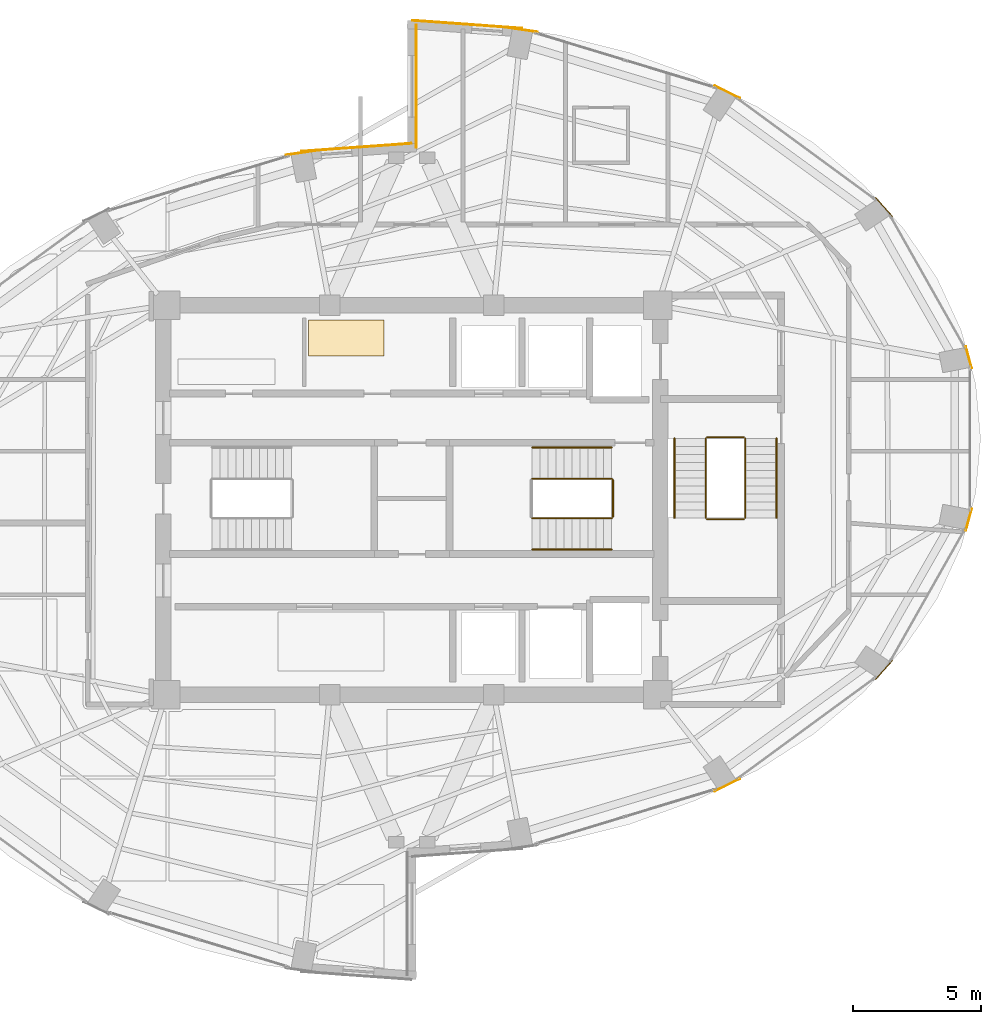
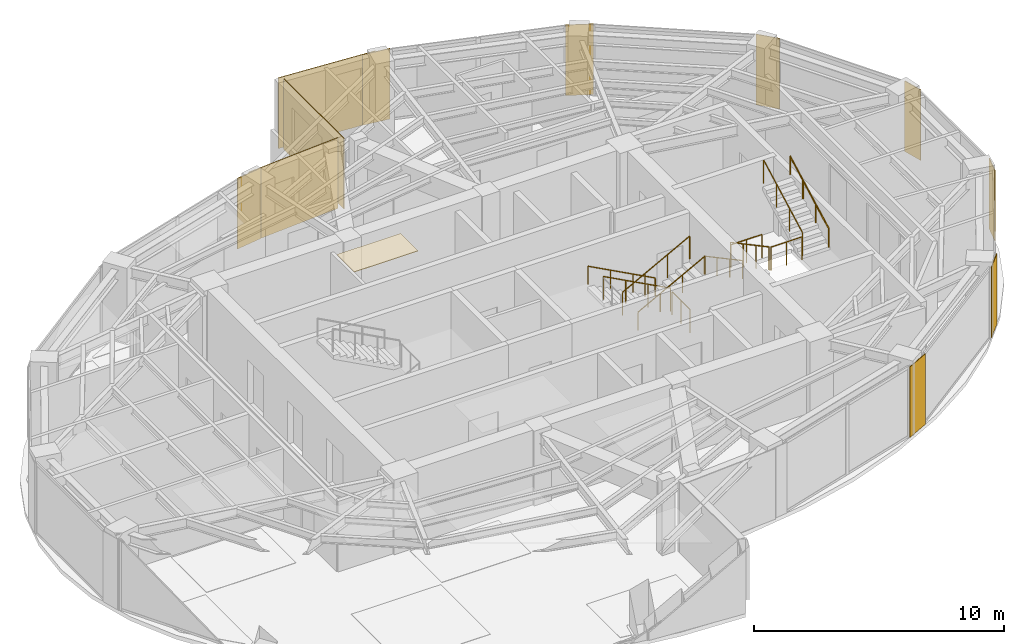
# One storey, part 23 of 23: 12 coverings, 11 railings.
"""IFC4 building model written with IfcOpenShell, lengths in metres."""

from ifc_helpers import new_model, si_unit, direction, frame, origin, origin_2d, place, context, subcontext, project, spatial, polyline, rectangle, circle, outline, extrude, material, layer, layer_set, type_object, element, save


model = new_model("IFC4")

# Units and contexts
model_context = context("Model", 3, precision=1e-05, world=origin(), true_north=direction((0.0, 1.0)))
body_context = subcontext(model_context, "Body", "Model", "MODEL_VIEW")
ifc_project = project(units=[si_unit("LENGTHUNIT", "METRE"), si_unit("AREAUNIT", "SQUARE_METRE"), si_unit("VOLUMEUNIT", "CUBIC_METRE"), si_unit("PLANEANGLEUNIT", "RADIAN"), si_unit("MASSUNIT", "GRAM", prefix="KILO")], contexts=[model_context])

# Site, building, storey
site_placement = place(None, origin())
site = spatial("IfcSite", under=ifc_project, at=site_placement, CompositionType="ELEMENT")
building_placement = place(site_placement, origin())
building = spatial("IfcBuilding", under=site, at=building_placement, Name="Lazwardi Medical Tower", CompositionType="ELEMENT")
storey_placement = place(building_placement, frame((0.0, 0.0, 202.1279296875)))
storey = spatial("IfcBuildingStorey", under=building, at=storey_placement, Name="L52", CompositionType="ELEMENT", Elevation=202.1279296875)

# Coverings
ifc_material_1 = material(Name="Anodised bronze aluminium cassette cladding", Category="aluminium")
ifc_layer_1 = layer(ifc_material_1, 0.030029296875)
ifc_layer_set_1 = layer_set([ifc_layer_1], Name="Anodised bronze aluminium cassette cladding")
covering_type_1 = type_object("IfcCoveringType", Name="COV-CLD-BRZ", PredefinedType="CLADDING", material=ifc_layer_set_1)
covering_1_placement = place(storey_placement, frame((48.311279296875, 16.878662109375, 0.0), z_axis=(0.0, 0.0, 1.0), x_axis=(0.897840141691, 0.440321564278, 0.0)))
element("IfcCovering", 1, at=covering_1_placement, inside=storey, type_object=covering_type_1, Name="L52 Mega-column bronze cassette cover M02", PredefinedType="CLADDING", context=body_context, shape_type="SweptSolid", body=[
    extrude(rectangle(XDim=1.110595703125, YDim=0.030029296875, at=origin_2d()), origin(), (0.0, 0.0, 1.0), 3.447998046875),
])
covering_2_placement = place(storey_placement, frame((54.42529296875, 21.365234375, 0.0), z_axis=(0.0, 0.0, 1.0), x_axis=(0.673240970654, 0.739423150458, 0.0)))
element("IfcCovering", 2, at=covering_2_placement, inside=storey, type_object=covering_type_1, Name="L52 Mega-column bronze cassette cover M03", PredefinedType="CLADDING", context=body_context, shape_type="SweptSolid", body=[
    extrude(rectangle(XDim=0.98974609375, YDim=0.030029296875, at=origin_2d()), origin(), (0.0, 0.0, 1.0), 3.447998046875),
])
for number, where, z_axis, x_axis, name in (
    (3, (57.734130859375, 27.227294921875, 0.0), (0.0, 0.0, 1.0), (0.261641748247, 0.96516506131, 0.0), "L52 Mega-column bronze cassette cover M04"),
    (4, (57.734130859375, 33.572509765625, 0.0), (0.0, 0.0, 1.0), (-0.261641748247, 0.96516506131, 0.0), "L52 Mega-column bronze cassette cover M05"),
):
    element("IfcCovering", number, at=place(storey_placement, frame(where, z_axis=z_axis, x_axis=x_axis)), inside=storey, type_object=covering_type_1, Name=name, PredefinedType="CLADDING", context=body_context, shape_type="SweptSolid", body=[
        extrude(rectangle(XDim=0.894287109375, YDim=0.030029296875, at=origin_2d()), origin(), (0.0, 0.0, 1.0), 3.447998046875),
    ])
covering_3_placement = place(storey_placement, frame((54.42529296875, 39.434814453125, 0.0), z_axis=(0.0, 0.0, 1.0), x_axis=(-0.673240970654, 0.739423150458, 0.0)))
element("IfcCovering", 5, at=covering_3_placement, inside=storey, type_object=covering_type_1, Name="L52 Mega-column bronze cassette cover M06", PredefinedType="CLADDING", context=body_context, shape_type="SweptSolid", body=[
    extrude(rectangle(XDim=0.98974609375, YDim=0.030029296875, at=origin_2d()), origin(), (0.0, 0.0, 1.0), 3.447998046875),
])
covering_4_placement = place(storey_placement, frame((48.311279296875, 43.92138671875, 0.0), z_axis=(0.0, 0.0, 1.0), x_axis=(-0.897840141691, 0.440321564278, 0.0)))
element("IfcCovering", 6, at=covering_4_placement, inside=storey, type_object=covering_type_1, Name="L52 Mega-column bronze cassette cover M07", PredefinedType="CLADDING", context=body_context, shape_type="SweptSolid", body=[
    extrude(rectangle(XDim=1.110595703125, YDim=0.030029296875, at=origin_2d()), origin(), (0.0, 0.0, 1.0), 3.447998046875),
])
for number, where, z_axis, x_axis, name in (
    (7, (40.3232421875, 46.349609375, 0.0), (0.0, 0.0, 1.0), (-0.989512431533, 0.144447733943, 0.0), "L52 Mega-column bronze cassette cover M08"),
    (8, (31.6767578125, 41.549560546875, 0.0), (0.0, 0.0, 1.0), (-0.989512431533, -0.144447733943, 0.0), "L52 Mega-column bronze cassette cover M09"),
):
    element("IfcCovering", number, at=place(storey_placement, frame(where, z_axis=z_axis, x_axis=x_axis)), inside=storey, type_object=covering_type_1, Name=name, PredefinedType="CLADDING", context=body_context, shape_type="SweptSolid", body=[
        extrude(rectangle(XDim=1.188720703125, YDim=0.030029296875, at=origin_2d()), origin(), (0.0, 0.0, 1.0), 3.447998046875),
    ])
ifc_material_2 = material(Name="Turquoise glazed ceramic tilework cladding", Category="masonry")
ifc_layer_2 = layer(ifc_material_2, 0.034912109375)
ifc_layer_set_2 = layer_set([ifc_layer_2], Name="Turquoise glazed ceramic tilework cladding")
covering_type_2 = type_object("IfcCoveringType", Name="COV-CLD-TRQ", PredefinedType="CLADDING", material=ifc_layer_set_2)
covering_5_placement = place(storey_placement, frame((38.16259765625, 46.56005859375, 0.0), z_axis=(0.0, 0.0, 1.0), x_axis=(-0.997409491337, 0.071932653157, 0.0)))
element("IfcCovering", 9, at=covering_5_placement, inside=storey, type_object=covering_type_2, Name="L52 Turquoise glazed ceramic tilework cladding", PredefinedType="CLADDING", context=body_context, shape_type="SweptSolid", body=[
    extrude(rectangle(XDim=4.31103515625, YDim=0.034912109375, at=origin_2d()), origin(), (0.0, 0.0, 1.0), 3.447998046875),
])
covering_6_placement = place(storey_placement, frame((33.83740234375, 41.760009765625, 0.0), z_axis=(0.0, 0.0, 1.0), x_axis=(-0.997408989128, -0.071939616387, 0.0)))
element("IfcCovering", 10, at=covering_6_placement, inside=storey, type_object=covering_type_2, Name="L52 Turquoise glazed ceramic tilework cladding", PredefinedType="CLADDING", context=body_context, shape_type="SweptSolid", body=[
    extrude(rectangle(XDim=4.310546875, YDim=0.034912109375, at=origin_2d()), origin(), (0.0, 0.0, 1.0), 3.447998046875),
])
covering_7_placement = place(storey_placement, frame((36.175537109375, 44.139892578125, 0.0), z_axis=(0.0, 0.0, 1.0), x_axis=(0.0, -1.0, 0.0)))
element("IfcCovering", 11, at=covering_7_placement, inside=storey, type_object=covering_type_2, Name="L52 Turquoise glazed ceramic tilework iwan panel", PredefinedType="CLADDING", context=body_context, shape_type="SweptSolid", body=[
    extrude(rectangle(XDim=4.800048828125, YDim=0.034912109375, at=origin_2d()), origin(), (0.0, 0.0, 1.0), 3.447998046875),
])
ifc_material_3 = material(Name="Acoustic mineral fibre tile")
ifc_layer_3 = layer(ifc_material_3, 0.02490234375)
ifc_layer_set_3 = layer_set([ifc_layer_3], Name="Acoustic mineral fibre tile")
covering_type_3 = type_object("IfcCoveringType", Name="COV-CLG-01", PredefinedType="CEILING", material=ifc_layer_set_3)
covering_8_placement = place(storey_placement, frame((0.0, 0.0, 3.302978515625)))
element("IfcCovering", 12, at=covering_8_placement, inside=storey, type_object=covering_type_3, Name="L52 Clinical Acoustic Ceiling 9", PredefinedType="CEILING", context=body_context, shape_type="SweptSolid", body=[
    extrude(outline(polyline([(34.912841796875, 35.02001953125), (31.9599609375, 35.02001953125), (31.9599609375, 33.62255859375), (34.912841796875, 33.62255859375), (34.912841796875, 35.02001953125)])), origin(), (0.0, 0.0, 1.0), 0.025146484375),
])

# Railings
ifc_material_4 = material(Name="Stainless steel Grade 316", Category="steel")
railing_type_1 = type_object("IfcRailingType", Name="RLG-GRD-1150", PredefinedType="GUARDRAIL", material=ifc_material_4)
railing_1_placement = place(storey_placement, frame((43.800048828125, 28.830078125, 0.165771484375)))
element("IfcRailing", 13, at=railing_1_placement, inside=storey, type_object=railing_type_1, Name="L52 ST2 stair guard 1", PredefinedType="GUARDRAIL", context=body_context, shape_type="SweptSolid", body=[
    extrude(circle(Radius=0.02392578125, at=origin_2d()), frame((0.0, 0.0, 1.1259765625), z_axis=(-0.881783298633, 0.0, 0.471654761719), x_axis=(0.0, -1.0, 0.0)), (0.0, 0.0, 1.0), 3.515625),
    extrude(circle(Radius=0.02099609375, at=origin_2d()), origin(), (0.0, 0.0, 1.0), 1.099853515625),
    extrude(circle(Radius=0.02099609375, at=origin_2d()), frame((-1.033447265625, 0.0, 0.552734375)), (0.0, 0.0, 1.0), 1.099853515625),
    extrude(circle(Radius=0.02099609375, at=origin_2d()), frame((-2.066650390625, 0.0, 1.10546875)), (0.0, 0.0, 1.0), 1.099853515625),
    extrude(circle(Radius=0.02099609375, at=origin_2d()), frame((-3.10009765625, 0.0, 1.658203125)), (0.0, 0.0, 1.0), 1.099853515625),
])
railing_2_placement = place(storey_placement, frame((40.699951171875, 27.2900390625, 1.989990234375)))
element("IfcRailing", 14, at=railing_2_placement, inside=storey, type_object=railing_type_1, Name="L52 ST2 stair guard 3", PredefinedType="GUARDRAIL", context=body_context, shape_type="SweptSolid", body=[
    extrude(circle(Radius=0.02392578125, at=origin_2d()), frame((0.0, 0.0, 1.1259765625), z_axis=(0.881812178953, 0.0, 0.471600764472), x_axis=(0.0, 1.0, 0.0)), (0.0, 0.0, 1.0), 3.515625),
    extrude(circle(Radius=0.02099609375, at=origin_2d()), origin(), (0.0, 0.0, 1.0), 1.099853515625),
    extrude(circle(Radius=0.02099609375, at=origin_2d()), frame((1.033447265625, 0.0, 0.552734375)), (0.0, 0.0, 1.0), 1.099853515625),
    extrude(circle(Radius=0.02099609375, at=origin_2d()), frame((2.066650390625, 0.0, 1.105224609375)), (0.0, 0.0, 1.0), 1.099853515625),
    extrude(circle(Radius=0.02099609375, at=origin_2d()), frame((3.10009765625, 0.0, 1.657958984375)), (0.0, 0.0, 1.0), 1.099853515625),
])
railing_3_placement = place(storey_placement, frame((43.85009765625, 28.780029296875, 0.0)))
element("IfcRailing", 15, at=railing_3_placement, inside=storey, type_object=railing_type_1, Name="L52 ST2 stair guard 4", PredefinedType="GUARDRAIL", context=body_context, shape_type="SweptSolid", body=[
    extrude(circle(Radius=0.02392578125, at=origin_2d()), frame((0.0, 0.0, 1.1259765625), z_axis=(0.0, -1.0, 0.0), x_axis=(1.0, 0.0, 0.0)), (0.0, 0.0, 1.0), 1.43994140625),
    extrude(circle(Radius=0.02099609375, at=origin_2d()), origin(), (0.0, 0.0, 1.0), 1.099853515625),
    extrude(circle(Radius=0.02099609375, at=origin_2d()), frame((0.0, -0.719970703125, 0.0)), (0.0, 0.0, 1.0), 1.099853515625),
    extrude(circle(Radius=0.02099609375, at=origin_2d()), frame((0.0, -1.43994140625, 0.0)), (0.0, 0.0, 1.0), 1.099853515625),
])
railing_4_placement = place(storey_placement, frame((47.469970703125, 30.39990234375, 0.165771484375)))
element("IfcRailing", 16, at=railing_4_placement, inside=storey, type_object=railing_type_1, Name="L52 ST3 stair guard 1", PredefinedType="GUARDRAIL", context=body_context, shape_type="SweptSolid", body=[
    extrude(circle(Radius=0.02392578125, at=origin_2d()), frame((0.0, 0.0, 1.1259765625), z_axis=(0.0, -0.881767849116, 0.471683644262), x_axis=(1.0, 0.0, 0.0)), (0.0, 0.0, 1.0), 3.515380859375),
    extrude(circle(Radius=0.02099609375, at=origin_2d()), origin(), (0.0, 0.0, 1.0), 1.099853515625),
    extrude(circle(Radius=0.02099609375, at=origin_2d()), frame((0.0, -1.033203125, 0.552734375)), (0.0, 0.0, 1.0), 1.099853515625),
    extrude(circle(Radius=0.02099609375, at=origin_2d()), frame((0.0, -2.066650390625, 1.10546875)), (0.0, 0.0, 1.0), 1.099853515625),
    extrude(circle(Radius=0.02099609375, at=origin_2d()), frame((0.0, -3.099853515625, 1.658203125)), (0.0, 0.0, 1.0), 1.099853515625),
])
railing_5_placement = place(storey_placement, frame((47.52001953125, 27.25, 1.823974609375)))
element("IfcRailing", 17, at=railing_5_placement, inside=storey, type_object=railing_type_1, Name="L52 ST3 stair guard 2", PredefinedType="GUARDRAIL", context=body_context, shape_type="SweptSolid", body=[
    extrude(circle(Radius=0.02392578125, at=origin_2d()), frame((0.0, 0.0, 1.1259765625), z_axis=(1.0, 0.0, 0.0), x_axis=(0.0, 1.0, 0.0)), (0.0, 0.0, 1.0), 1.43994140625),
    extrude(circle(Radius=0.02099609375, at=origin_2d()), origin(), (0.0, 0.0, 1.0), 1.099853515625),
    extrude(circle(Radius=0.02099609375, at=origin_2d()), frame((0.719970703125, 0.0, 0.0)), (0.0, 0.0, 1.0), 1.099853515625),
    extrude(circle(Radius=0.02099609375, at=origin_2d()), frame((1.43994140625, 0.0, 0.0)), (0.0, 0.0, 1.0), 1.099853515625),
])
railing_6_placement = place(storey_placement, frame((49.010009765625, 27.300048828125, 1.989990234375)))
element("IfcRailing", 18, at=railing_6_placement, inside=storey, type_object=railing_type_1, Name="L52 ST3 stair guard 3", PredefinedType="GUARDRAIL", context=body_context, shape_type="SweptSolid", body=[
    extrude(circle(Radius=0.02392578125, at=origin_2d()), frame((0.0, 0.0, 1.1259765625), z_axis=(0.0, 0.881796732468, 0.4716296456), x_axis=(-1.0, 0.0, 0.0)), (0.0, 0.0, 1.0), 3.515380859375),
    extrude(circle(Radius=0.02099609375, at=origin_2d()), origin(), (0.0, 0.0, 1.0), 1.099853515625),
    extrude(circle(Radius=0.02099609375, at=origin_2d()), frame((0.0, 1.033203125, 0.552734375)), (0.0, 0.0, 1.0), 1.099853515625),
    extrude(circle(Radius=0.02099609375, at=origin_2d()), frame((0.0, 2.066650390625, 1.105224609375)), (0.0, 0.0, 1.0), 1.099853515625),
    extrude(circle(Radius=0.02099609375, at=origin_2d()), frame((0.0, 3.099853515625, 1.657958984375)), (0.0, 0.0, 1.0), 1.099853515625),
])
railing_7_placement = place(storey_placement, frame((47.52001953125, 30.449951171875, 0.0)))
element("IfcRailing", 19, at=railing_7_placement, inside=storey, type_object=railing_type_1, Name="L52 ST3 stair guard 4", PredefinedType="GUARDRAIL", context=body_context, shape_type="SweptSolid", body=[
    extrude(circle(Radius=0.02392578125, at=origin_2d()), frame((0.0, 0.0, 1.1259765625), z_axis=(1.0, 0.0, 0.0), x_axis=(0.0, 1.0, 0.0)), (0.0, 0.0, 1.0), 1.43994140625),
    extrude(circle(Radius=0.02099609375, at=origin_2d()), origin(), (0.0, 0.0, 1.0), 1.099853515625),
    extrude(circle(Radius=0.02099609375, at=origin_2d()), frame((0.719970703125, 0.0, 0.0)), (0.0, 0.0, 1.0), 1.099853515625),
    extrude(circle(Radius=0.02099609375, at=origin_2d()), frame((1.43994140625, 0.0, 0.0)), (0.0, 0.0, 1.0), 1.099853515625),
])
railing_type_2 = type_object("IfcRailingType", Name="RLG-HND-920", PredefinedType="HANDRAIL", material=ifc_material_4)
railing_8_placement = place(storey_placement, frame((43.800048828125, 30.050048828125, 0.165771484375)))
element("IfcRailing", 20, at=railing_8_placement, inside=storey, type_object=railing_type_2, Name="L52 ST2 stair handrail 1", PredefinedType="HANDRAIL", context=body_context, shape_type="SweptSolid", body=[
    extrude(circle(Radius=0.02392578125, at=origin_2d()), frame((0.0, 0.0, 0.8857421875), z_axis=(-0.881783298633, 0.0, 0.471654761719), x_axis=(0.0, -1.0, 0.0)), (0.0, 0.0, 1.0), 3.515625),
    extrude(circle(Radius=0.02099609375, at=origin_2d()), origin(), (0.0, 0.0, 1.0), 0.85986328125),
    extrude(circle(Radius=0.02099609375, at=origin_2d()), frame((-1.033447265625, 0.0, 0.552734375)), (0.0, 0.0, 1.0), 0.85986328125),
    extrude(circle(Radius=0.02099609375, at=origin_2d()), frame((-2.066650390625, 0.0, 1.10546875)), (0.0, 0.0, 1.0), 0.85986328125),
    extrude(circle(Radius=0.02099609375, at=origin_2d()), frame((-3.10009765625, 0.0, 1.658203125)), (0.0, 0.0, 1.0), 0.85986328125),
])
railing_9_placement = place(storey_placement, frame((40.699951171875, 26.070068359375, 1.989990234375)))
element("IfcRailing", 21, at=railing_9_placement, inside=storey, type_object=railing_type_2, Name="L52 ST2 stair handrail 2", PredefinedType="HANDRAIL", context=body_context, shape_type="SweptSolid", body=[
    extrude(circle(Radius=0.02392578125, at=origin_2d()), frame((0.0, 0.0, 0.8857421875), z_axis=(0.881812178953, 0.0, 0.471600764472), x_axis=(0.0, 1.0, 0.0)), (0.0, 0.0, 1.0), 3.515625),
    extrude(circle(Radius=0.02099609375, at=origin_2d()), origin(), (0.0, 0.0, 1.0), 0.85986328125),
    extrude(circle(Radius=0.02099609375, at=origin_2d()), frame((1.033447265625, 0.0, 0.552734375)), (0.0, 0.0, 1.0), 0.85986328125),
    extrude(circle(Radius=0.02099609375, at=origin_2d()), frame((2.066650390625, 0.0, 1.105224609375)), (0.0, 0.0, 1.0), 0.85986328125),
    extrude(circle(Radius=0.02099609375, at=origin_2d()), frame((3.10009765625, 0.0, 1.657958984375)), (0.0, 0.0, 1.0), 0.85986328125),
])
railing_10_placement = place(storey_placement, frame((46.25, 30.39990234375, 0.165771484375)))
element("IfcRailing", 22, at=railing_10_placement, inside=storey, type_object=railing_type_2, Name="L52 ST3 stair handrail 1", PredefinedType="HANDRAIL", context=body_context, shape_type="SweptSolid", body=[
    extrude(circle(Radius=0.02392578125, at=origin_2d()), frame((0.0, 0.0, 0.8857421875), z_axis=(0.0, -0.881767849116, 0.471683644262), x_axis=(1.0, 0.0, 0.0)), (0.0, 0.0, 1.0), 3.515380859375),
    extrude(circle(Radius=0.02099609375, at=origin_2d()), origin(), (0.0, 0.0, 1.0), 0.85986328125),
    extrude(circle(Radius=0.02099609375, at=origin_2d()), frame((0.0, -1.033203125, 0.552734375)), (0.0, 0.0, 1.0), 0.85986328125),
    extrude(circle(Radius=0.02099609375, at=origin_2d()), frame((0.0, -2.066650390625, 1.10546875)), (0.0, 0.0, 1.0), 0.85986328125),
    extrude(circle(Radius=0.02099609375, at=origin_2d()), frame((0.0, -3.099853515625, 1.658203125)), (0.0, 0.0, 1.0), 0.85986328125),
])
railing_11_placement = place(storey_placement, frame((50.22998046875, 27.300048828125, 1.989990234375)))
element("IfcRailing", 23, at=railing_11_placement, inside=storey, type_object=railing_type_2, Name="L52 ST3 stair handrail 2", PredefinedType="HANDRAIL", context=body_context, shape_type="SweptSolid", body=[
    extrude(circle(Radius=0.02392578125, at=origin_2d()), frame((0.0, 0.0, 0.8857421875), z_axis=(0.0, 0.881796732468, 0.4716296456), x_axis=(-1.0, 0.0, 0.0)), (0.0, 0.0, 1.0), 3.515380859375),
    extrude(circle(Radius=0.02099609375, at=origin_2d()), origin(), (0.0, 0.0, 1.0), 0.85986328125),
    extrude(circle(Radius=0.02099609375, at=origin_2d()), frame((0.0, 1.033203125, 0.552734375)), (0.0, 0.0, 1.0), 0.85986328125),
    extrude(circle(Radius=0.02099609375, at=origin_2d()), frame((0.0, 2.066650390625, 1.105224609375)), (0.0, 0.0, 1.0), 0.85986328125),
    extrude(circle(Radius=0.02099609375, at=origin_2d()), frame((0.0, 3.099853515625, 1.657958984375)), (0.0, 0.0, 1.0), 0.85986328125),
])

save(model, "model.ifc")
